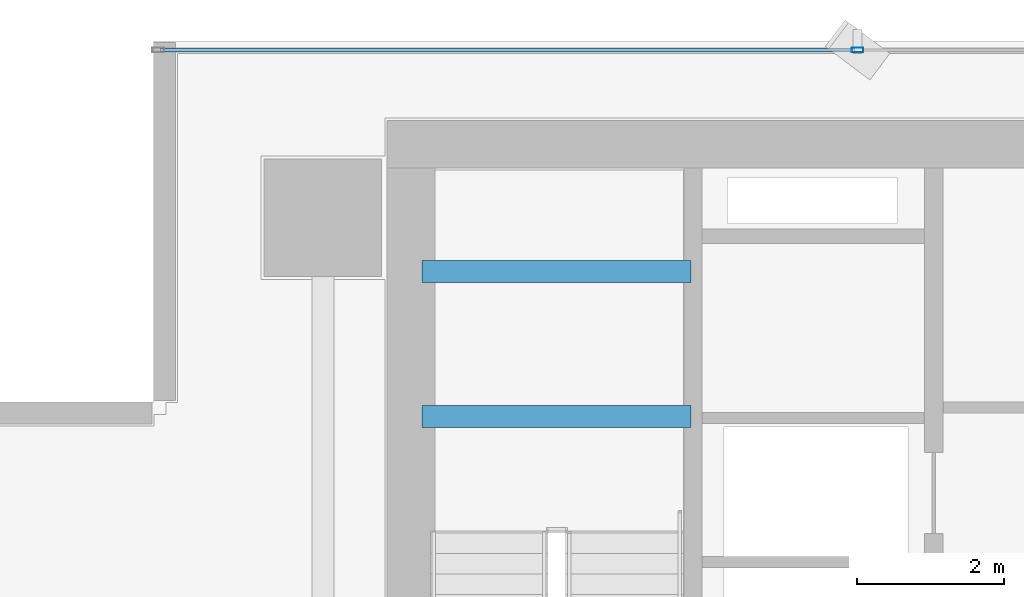
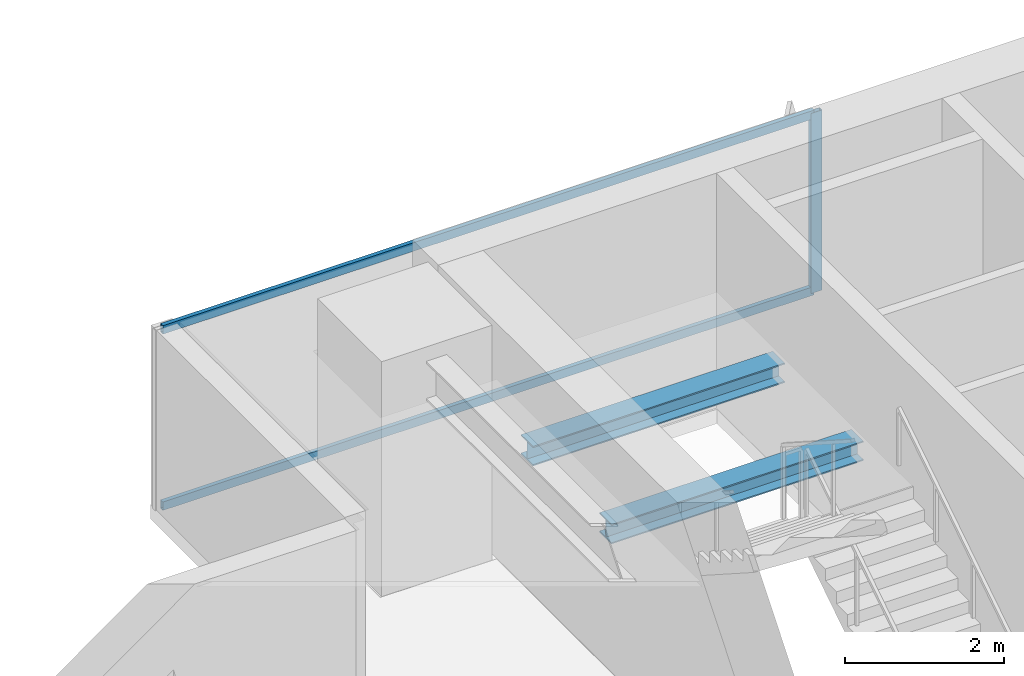
# One storey, part 15 of 28: 3 members, 2 beams, 1 element without a shape of its own.
"""IFC4 building model written with IfcOpenShell, lengths in metres."""

from ifc_helpers import new_model, si_unit, direction, frame, origin, origin_2d, place, context, subcontext, project, spatial, hollow_rectangle, i_section, extrude, source, transform, mapped, material, layer, layer_set, material_profile, profile_set, type_object, element, aggregate, save


model = new_model("IFC4")

# Units and contexts
model_context = context("Model", 3, precision=1e-05, world=origin(), true_north=direction((0.0, 1.0)))
body_context = subcontext(model_context, "Body", "Model", "MODEL_VIEW")
ifc_project = project(units=[si_unit("LENGTHUNIT", "METRE"), si_unit("AREAUNIT", "SQUARE_METRE"), si_unit("VOLUMEUNIT", "CUBIC_METRE"), si_unit("PLANEANGLEUNIT", "RADIAN"), si_unit("MASSUNIT", "GRAM", prefix="KILO")], contexts=[model_context])

# Site, building, storey
site_placement = place(None, origin())
site = spatial("IfcSite", under=ifc_project, at=site_placement, CompositionType="ELEMENT")
building_placement = place(site_placement, origin())
building = spatial("IfcBuilding", under=site, at=building_placement, Name="Sumidabori Civic Tower", CompositionType="ELEMENT")
storey_placement = place(building_placement, frame((0.0, 0.0, 167.60009765625)))
storey = spatial("IfcBuildingStorey", under=building, at=storey_placement, Name="L43", CompositionType="ELEMENT", Elevation=167.60009765625)

# Beams
ifc_material_1 = material(Name="Steel SN490", Category="steel")
ifc_material_profile_1 = material_profile(ifc_material_1, i_section(OverallWidth=0.300048828125, OverallDepth=0.300048828125, WebThickness=0.010986328125, FlangeThickness=0.01904296875, at=origin_2d()), Name="HE 300 B")
ifc_profile_set_1 = profile_set([ifc_material_profile_1], Name="Steel SN490")
beam_type = type_object("IfcBeamType", Name="BM-LDG-300", PredefinedType="BEAM", material=ifc_profile_set_1)
shared_shape_1 = source(origin(), body_context, "Body", "SweptSolid", [
    extrude(i_section(OverallWidth=0.300048828125, OverallDepth=0.300048828125, WebThickness=0.010986328125, FlangeThickness=0.01904296875, at=origin_2d()), origin(), (0.0, 0.0, 1.0), 3.64990234375),
])
for number, where, z_axis, x_axis, name in (
    (1, (-15.449951171875, 20.09765625, 1.449951171875), (1.0, 0.0, 0.0), (0.0, 1.0, 0.0), "Stair ST-1 Landing Support Beam L43-1A"),
    (2, (-15.449951171875, 22.069580078125, 1.449951171875), (1.0, 0.0, 0.0), (0.0, 1.0, 0.0), "Stair ST-1 Landing Trimmer Beam L43-1B"),
):
    element("IfcBeam", number, at=place(storey_placement, frame(where, z_axis=z_axis, x_axis=x_axis)), inside=storey, type_object=beam_type, Name=name, PredefinedType="BEAM", context=body_context, shape_type="MappedRepresentation", body=[
        mapped(shared_shape_1, transform((0.0, 0.0, 0.0), x_axis=(1.0, 0.0, 0.0), y_axis=(0.0, 1.0, 0.0), z_axis=(0.0, 0.0, 1.0), scale=1.0)),
    ])

# Curtain wall, members
ifc_material_2 = material(Name="Anodised Bronze Aluminium AW-6063-T6", Category="aluminium")
ifc_layer = layer(ifc_material_2, 0.179931640625, Name="Anodised Bronze Aluminium AW-6063-T6")
ifc_layer_set = layer_set([ifc_layer], Name="Anodised Bronze Aluminium AW-6063-T6")
curtain_wall_type = type_object("IfcCurtainWallType", Name="CW-SYS-3", PredefinedType="NOTDEFINED", material=ifc_layer_set)
curtain_wall_placement = place(storey_placement, origin())
curtain_wall = element("IfcCurtainWall", 3, at=curtain_wall_placement, inside=storey, type_object=curtain_wall_type, Name="Curtain Wall CW:L43:R07", PredefinedType="NOTDEFINED")
ifc_material_profile_2 = material_profile(ifc_material_2, hollow_rectangle(XDim=0.06494140625, YDim=0.159912109375, WallThickness=0.0048828125, at=origin_2d()), Name="ALU MULLION 160x65")
ifc_profile_set_2 = profile_set([ifc_material_profile_2], Name="Anodised Bronze Aluminium AW-6063-T6")
member_type_1 = type_object("IfcMemberType", Name="CW-MUL-160", PredefinedType="MULLION", material=ifc_profile_set_2)
shared_shape_2 = source(origin(), body_context, "Body", "SweptSolid", [
    extrude(hollow_rectangle(XDim=0.06494140625, YDim=0.159912109375, WallThickness=0.0048828125, at=origin_2d()), origin(), (0.0, 0.0, 1.0), 2.760009765625),
])
member_1_placement = place(storey_placement, frame((-9.534912109375, 25.080078125, 0.0), z_axis=(0.0, 0.0, 1.0), x_axis=(0.0, -1.0, 0.0)))
member_1 = element("IfcMember", 4, at=member_1_placement, type_object=member_type_1, Name="CW-3 mullion 4", PredefinedType="MULLION", context=body_context, shape_type="MappedRepresentation", body=[
    mapped(shared_shape_2, transform((0.0, 0.0, 0.0), x_axis=(1.0, 0.0, 0.0), y_axis=(0.0, 1.0, 0.0), z_axis=(0.0, 0.0, 1.0), scale=1.0)),
])
ifc_material_profile_3 = material_profile(ifc_material_2, hollow_rectangle(XDim=0.06005859375, YDim=0.1298828125, WallThickness=0.0048828125, at=origin_2d()), Name="ALU TRANSOM 130x60")
ifc_profile_set_3 = profile_set([ifc_material_profile_3], Name="Anodised Bronze Aluminium AW-6063-T6")
member_type_2 = type_object("IfcMemberType", Name="CW-TRN-130", PredefinedType="USERDEFINED", material=ifc_profile_set_3)
shared_shape_3 = source(origin(), body_context, "Body", "SweptSolid", [
    extrude(hollow_rectangle(XDim=0.06005859375, YDim=0.1298828125, WallThickness=0.0048828125, at=origin_2d()), origin(), (0.0, 0.0, 1.0), 9.4375),
])
member_2_placement = place(storey_placement, frame((-9.5673828125, 25.080078125, 0.02978515625), z_axis=(-1.0, 0.0, 0.0), x_axis=(0.0, -1.0, 0.0)))
member_2 = element("IfcMember", 5, at=member_2_placement, type_object=member_type_2, Name="CW-3 transom 4.1", ObjectType="TRANSOM", PredefinedType="USERDEFINED", context=body_context, shape_type="MappedRepresentation", body=[
    mapped(shared_shape_3, transform((0.0, 0.0, 0.0), x_axis=(1.0, 0.0, 0.0), y_axis=(0.0, 1.0, 0.0), z_axis=(0.0, 0.0, 1.0), scale=1.0)),
])
member_3_placement = place(storey_placement, frame((-9.5673828125, 25.080078125, 2.72998046875), z_axis=(-1.0, 0.0, 0.0), x_axis=(0.0, -1.0, 0.0)))
member_3 = element("IfcMember", 6, at=member_3_placement, type_object=member_type_2, Name="CW-3 transom 4.2", ObjectType="TRANSOM", PredefinedType="USERDEFINED", context=body_context, shape_type="MappedRepresentation", body=[
    mapped(shared_shape_3, transform((0.0, 0.0, 0.0), x_axis=(1.0, 0.0, 0.0), y_axis=(0.0, 1.0, 0.0), z_axis=(0.0, 0.0, 1.0), scale=1.0)),
])
aggregate(curtain_wall, [member_1, member_2, member_3])

save(model, "model.ifc")
